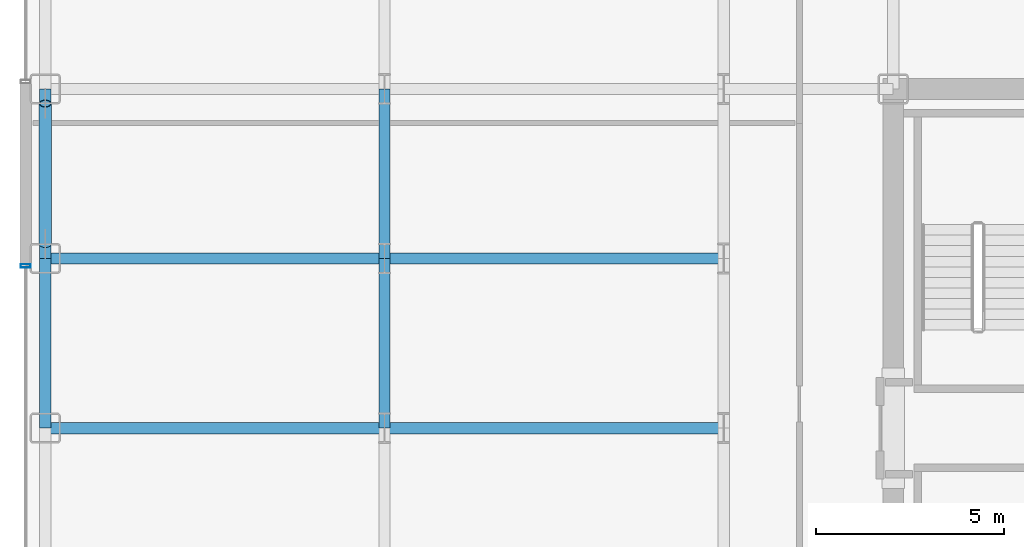
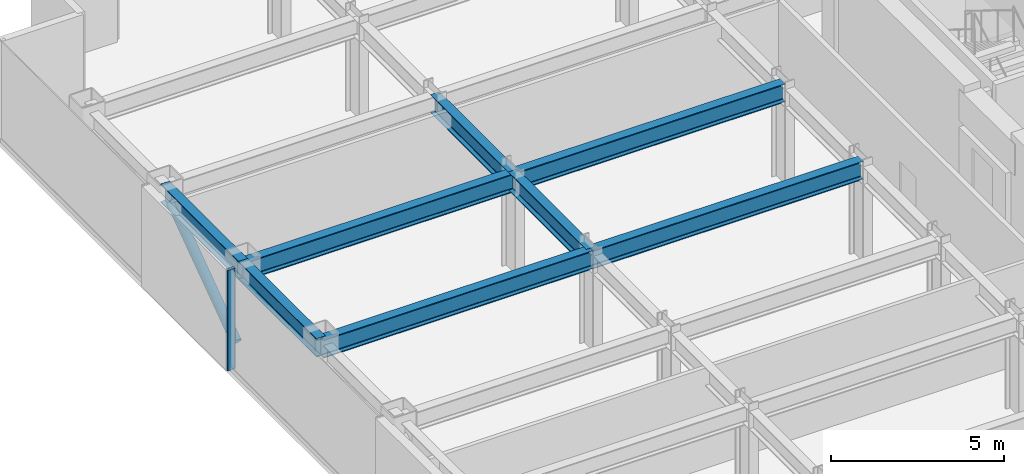
# One storey, part 7 of 25: 8 beams, 2 members, 1 element without a shape of its own.
"""IFC4 building model written with IfcOpenShell, lengths in metres."""

import ifcopenshell
import ifcopenshell.guid

model = None  # the IFC model being written
_history = None  # IfcOwnerHistory: only IFC2X3 demands one
_inside = {}  # id of a spatial element -> (the spatial element, [elements in it])
_under = {}  # id of a project, library or spatial element -> (it, [spatial elements below it])
_declared = {}  # id of a project -> (the project, [libraries it declares])
_typed = {}  # id of a type object -> (the type object, [elements of that type])
_made_of = {}  # id of a material, layer set ... -> (it, [elements and type objects made of it])


def new_model(schema):
    """Start an empty IFC model of exactly this schema.

    Asked for "IFC4X3", IfcOpenShell would pick the latest addendum, in which some entities
    have other attributes; the version numbers below select the first issue.
    IFC2X3 requires an IfcOwnerHistory on every rooted entity: one is made here for all.
    """
    global model, _history
    if schema == "IFC4X3":
        model = ifcopenshell.file(schema_version=(4, 3, 0, 0))
    else:
        model = ifcopenshell.file(schema=schema)
    _inside.clear()
    _under.clear()
    _declared.clear()
    _typed.clear()
    _made_of.clear()
    _history = None
    if model.schema == "IFC2X3":
        org = make("IfcOrganization", Name="unknown")
        user = make(
            "IfcPersonAndOrganization",
            ThePerson=make("IfcPerson", FamilyName="unknown"),
            TheOrganization=org,
        )
        app = make(
            "IfcApplication",
            ApplicationDeveloper=org,
            Version="unknown",
            ApplicationFullName="unknown",
            ApplicationIdentifier="unknown",
        )
        _history = make(
            "IfcOwnerHistory",
            OwningUser=user,
            OwningApplication=app,
            ChangeAction="ADDED",
            CreationDate=0,
        )
    return model


def make(cls, **values):
    """One entity of the class cls with the attributes given. An attribute that is None is left unset."""
    return model.create_entity(
        cls, **{name: value for name, value in values.items() if value is not None}
    )


def rooted(cls, **values):
    """An entity with a GlobalId (a new one), such as an element, a storey or a relation."""
    return make(cls, GlobalId=ifcopenshell.guid.new(), OwnerHistory=_history, **values)


def si_unit(unit_type, name, prefix=None):
    """IfcSIUnit, for example si_unit("LENGTHUNIT", "METRE", prefix="MILLI")."""
    return make("IfcSIUnit", UnitType=unit_type, Prefix=prefix, Name=name)


def assignment(units):
    """IfcUnitAssignment: the units of a project."""
    return None if units is None else make("IfcUnitAssignment", Units=units)


def point(xyz):
    """IfcCartesianPoint."""
    return None if xyz is None else make("IfcCartesianPoint", Coordinates=xyz)


def direction(xyz):
    """IfcDirection."""
    return None if xyz is None else make("IfcDirection", DirectionRatios=xyz)


def frame(location, z_axis=None, x_axis=None):
    """IfcAxis2Placement3D, a coordinate frame: its origin and axes. An axis left out is left unset."""
    return make(
        "IfcAxis2Placement3D",
        Location=point(location),
        Axis=direction(z_axis),
        RefDirection=direction(x_axis),
    )


def frame_2d(location, x_axis=None):
    """IfcAxis2Placement2D, a coordinate frame in the plane: its origin and x axis."""
    return make(
        "IfcAxis2Placement2D", Location=point(location), RefDirection=direction(x_axis)
    )


def origin():
    """The frame at (0, 0, 0) with its axes left unset."""
    return frame((0.0, 0.0, 0.0))


def origin_2d():
    """The frame at (0, 0) in the plane with its x axis left unset."""
    return frame_2d((0.0, 0.0))


def place(relative_to, where):
    """IfcLocalPlacement: puts the frame where relative to a parent placement (None: the world)."""
    return make(
        "IfcLocalPlacement", PlacementRelTo=relative_to, RelativePlacement=where
    )


def context(
    kind, dimensions, precision=None, world=None, true_north=None, identifier=None
):
    """IfcGeometricRepresentationContext, for example the 3D "Model" context."""
    return make(
        "IfcGeometricRepresentationContext",
        ContextIdentifier=identifier,
        ContextType=kind,
        CoordinateSpaceDimension=dimensions,
        Precision=precision,
        WorldCoordinateSystem=world,
        TrueNorth=true_north,
    )


def subcontext(parent, identifier, kind, view, scale=None):
    """IfcGeometricRepresentationSubContext, for example "Body" below "Model"."""
    return make(
        "IfcGeometricRepresentationSubContext",
        ContextIdentifier=identifier,
        ContextType=kind,
        ParentContext=parent,
        TargetScale=scale,
        TargetView=view,
    )


def project(units=None, contexts=None):
    """IfcProject with its units and contexts."""
    return rooted(
        "IfcProject",
        Name="project",
        RepresentationContexts=contexts,
        UnitsInContext=assignment(units),
    )


def spatial(cls, under=None, at=None, **own):
    """A site, building, storey or space (cls), placed at a placement, below another one or the project."""
    s = rooted(cls, ObjectPlacement=at, **own)
    if under is not None:
        _under.setdefault(under.id(), (under, []))[1].append(s)
    return s


def profile(cls, at=None, kind="AREA", **sizes):
    """A parametric profile (cls). Its sizes go by their IFC names, for example OverallWidth=200.0."""
    return make(cls, ProfileType=kind, Position=at, **sizes)


def hollow_rectangle(**sizes):
    """IfcRectangleHollowProfileDef."""
    return profile("IfcRectangleHollowProfileDef", **sizes)


def hollow_circle(**sizes):
    """IfcCircleHollowProfileDef."""
    return profile("IfcCircleHollowProfileDef", **sizes)


def i_section(**sizes):
    """IfcIShapeProfileDef."""
    return profile("IfcIShapeProfileDef", **sizes)


def extrude(swept, where, along, depth):
    """IfcExtrudedAreaSolid: the profile swept, set in the frame where, extruded along a direction by depth."""
    return make(
        "IfcExtrudedAreaSolid",
        SweptArea=swept,
        Position=where,
        ExtrudedDirection=direction(along),
        Depth=depth,
    )


def shape(context_of_items, identifier, shape_type, items):
    """IfcShapeRepresentation: the items that make up one representation, for example the "Body"."""
    return make(
        "IfcShapeRepresentation",
        ContextOfItems=context_of_items,
        RepresentationIdentifier=identifier,
        RepresentationType=shape_type,
        Items=items,
    )


def source(mapping_origin, context_of_items, identifier, shape_type, items):
    """IfcRepresentationMap: a shape defined once, which mapped items show again and again."""
    return make(
        "IfcRepresentationMap",
        MappingOrigin=mapping_origin,
        MappedRepresentation=shape(context_of_items, identifier, shape_type, items),
    )


def transform(
    local_origin,
    x_axis=None,
    y_axis=None,
    z_axis=None,
    scale=None,
    scale2=None,
    scale3=None,
    uniform=True,
):
    """IfcCartesianTransformationOperator3D, or its non-uniform kind. x_axis, y_axis, z_axis: its Axis1, 2, 3."""
    if uniform:
        return make(
            "IfcCartesianTransformationOperator3D",
            Axis1=direction(x_axis),
            Axis2=direction(y_axis),
            LocalOrigin=point(local_origin),
            Scale=scale,
            Axis3=direction(z_axis),
        )
    return make(
        "IfcCartesianTransformationOperator3DnonUniform",
        Axis1=direction(x_axis),
        Axis2=direction(y_axis),
        LocalOrigin=point(local_origin),
        Scale=scale,
        Axis3=direction(z_axis),
        Scale2=scale2,
        Scale3=scale3,
    )


def mapped(mapping_source, mapping_target):
    """IfcMappedItem: shows the shape of a source again, moved by a transform."""
    return make(
        "IfcMappedItem", MappingSource=mapping_source, MappingTarget=mapping_target
    )


def material(Name=None, Category=None):
    """IfcMaterial."""
    return make("IfcMaterial", Name=Name, Category=Category)


def layer(
    of_material, thickness, ventilated=None, Name=None, Category=None, Priority=None
):
    """IfcMaterialLayer: one layer of a wall or slab, of a material (None: an air gap)."""
    return make(
        "IfcMaterialLayer",
        Material=of_material,
        LayerThickness=thickness,
        IsVentilated=ventilated,
        Name=Name,
        Category=Category,
        Priority=Priority,
    )


def layer_set(layers, Name=None):
    """IfcMaterialLayerSet."""
    return make("IfcMaterialLayerSet", MaterialLayers=layers, LayerSetName=Name)


def material_profile(
    of_material, cross_section, Name=None, Category=None, Priority=None
):
    """IfcMaterialProfile: a cross section and its material."""
    return make(
        "IfcMaterialProfile",
        Name=Name,
        Material=of_material,
        Profile=cross_section,
        Priority=Priority,
        Category=Category,
    )


def profile_set(profiles, Name=None, composite=None):
    """IfcMaterialProfileSet."""
    return make(
        "IfcMaterialProfileSet",
        Name=Name,
        MaterialProfiles=profiles,
        CompositeProfile=composite,
    )


def made_of(thing, what):
    """Note that an element or type object is made of a material, layer set ...; save() writes the relation."""
    if what is not None:
        _made_of.setdefault(what.id(), (what, []))[1].append(thing)
    return thing


def type_object(cls, material=None, **own):
    """A type object (cls), such as IfcWallType, which elements share."""
    return made_of(rooted(cls, **own), material)


def element(
    cls,
    number,
    at=None,
    inside=None,
    cuts=None,
    type_object=None,
    material=None,
    context=None,
    identifier="Body",
    shape_type=None,
    held_by="IfcProductDefinitionShape",
    body=None,
    shapes=None,
    **own,
):
    """One element of the class cls, such as IfcWall. Its Tag is "e" and its number.

    at: its placement. inside: the storey or other place that contains it. cuts: it is an
    opening in that element (IfcRelVoidsElement). A single representation is given by context,
    identifier, shape_type and body (its items); several are given by shapes. held_by: the class
    of the entity that holds the representations. save() writes the other relations.
    """
    e = rooted(cls, Tag="e%d" % number, ObjectPlacement=at, **own)
    if body is not None:
        shapes = [shape(context, identifier, shape_type, body)]
    if shapes is not None:
        e.Representation = make(held_by, Representations=shapes)
    if inside is not None:
        _inside.setdefault(inside.id(), (inside, []))[1].append(e)
    if cuts is not None:
        rooted(
            "IfcRelVoidsElement", RelatingBuildingElement=cuts, RelatedOpeningElement=e
        )
    if type_object is not None:
        _typed.setdefault(type_object.id(), (type_object, []))[1].append(e)
    return made_of(e, material)


def aggregate(whole, parts):
    """IfcRelAggregates: a whole, such as a stair, and the parts it consists of."""
    return rooted("IfcRelAggregates", RelatingObject=whole, RelatedObjects=parts)


def save(model, path):
    """Write the relations noted so far, then the file.

    IfcRelAggregates (storeys below a building ...), IfcRelContainedInSpatialStructure (elements
    in a storey), IfcRelDefinesByType, IfcRelAssociatesMaterial and IfcRelDeclares: one each for
    every whole, place, type object, material and project.
    """
    for whole, parts in _under.values():
        aggregate(whole, parts)
    for where, things in _inside.values():
        rooted(
            "IfcRelContainedInSpatialStructure",
            RelatedElements=things,
            RelatingStructure=where,
        )
    for kind, things in _typed.values():
        rooted("IfcRelDefinesByType", RelatedObjects=things, RelatingType=kind)
    for what, things in _made_of.values():
        rooted("IfcRelAssociatesMaterial", RelatedObjects=things, RelatingMaterial=what)
    for by, libraries in _declared.values():
        rooted("IfcRelDeclares", RelatingContext=by, RelatedDefinitions=libraries)
    model.write(path)


model = new_model("IFC4")

# Units and contexts
model_context = context("Model", 3, precision=1e-05, world=origin(), true_north=direction((0.0, 1.0)))
body_context = subcontext(model_context, "Body", "Model", "MODEL_VIEW")
ifc_project = project(units=[si_unit("LENGTHUNIT", "METRE"), si_unit("AREAUNIT", "SQUARE_METRE"), si_unit("VOLUMEUNIT", "CUBIC_METRE"), si_unit("PLANEANGLEUNIT", "RADIAN"), si_unit("MASSUNIT", "GRAM", prefix="KILO")], contexts=[model_context])

# Site, building, storey
site_placement = place(None, origin())
site = spatial("IfcSite", under=ifc_project, at=site_placement, CompositionType="ELEMENT")
building_placement = place(site_placement, origin())
building = spatial("IfcBuilding", under=site, at=building_placement, Name="Nefas-Gora Pilgrimage Tower", CompositionType="ELEMENT")
storey_placement = place(building_placement, frame((0.0, 0.0, 194.39990234375)))
storey = spatial("IfcBuildingStorey", under=building, at=storey_placement, Name="L48", CompositionType="ELEMENT", Elevation=194.39990234375)

# Beams
ifc_material_1 = material(Name="Steel S355", Category="steel")
ifc_material_profile_1 = material_profile(ifc_material_1, i_section(OverallWidth=0.300048828125, OverallDepth=0.64990234375, WebThickness=0.01611328125, FlangeThickness=0.031005859375, FilletRadius=0.027099609375, at=origin_2d()), Name="HEB 650")
ifc_profile_set_1 = profile_set([ifc_material_profile_1], Name="Steel S355")
beam_type_1 = type_object("IfcBeamType", Name="BM-SPN-HEB500", PredefinedType="SPANDREL", material=ifc_profile_set_1)
shared_shape_1 = source(origin(), body_context, "Body", "SweptSolid", [
    extrude(i_section(OverallWidth=0.300048828125, OverallDepth=0.64990234375, WebThickness=0.01611328125, FlangeThickness=0.031005859375, FilletRadius=0.027099609375, at=origin_2d()), origin(), (0.0, 0.0, 1.0), 4.5),
])
for number, where, z_axis, x_axis, name in (
    (1, (-33.75, 0.0, 3.22509765625), (0.0, 1.0, 0.0), (-1.0, 0.0, 0.0), "L48 SP-02 beam"),
    (2, (-33.75, 4.5, 3.22509765625), (0.0, 1.0, 0.0), (-1.0, 0.0, 0.0), "L48 SP-02 beam"),
):
    element("IfcBeam", number, at=place(storey_placement, frame(where, z_axis=z_axis, x_axis=x_axis)), inside=storey, type_object=beam_type_1, Name=name, PredefinedType="SPANDREL", context=body_context, shape_type="MappedRepresentation", body=[
        mapped(shared_shape_1, transform((0.0, 0.0, 0.0), x_axis=(1.0, 0.0, 0.0), y_axis=(0.0, 1.0, 0.0), z_axis=(0.0, 0.0, 1.0), scale=1.0)),
    ])
ifc_material_profile_2 = material_profile(ifc_material_1, i_section(OverallWidth=0.300048828125, OverallDepth=0.64990234375, WebThickness=0.01611328125, FlangeThickness=0.031005859375, FilletRadius=0.027099609375, at=origin_2d()), Name="HEB 650")
ifc_profile_set_2 = profile_set([ifc_material_profile_2], Name="Steel S355")
beam_type_2 = type_object("IfcBeamType", Name="BM-GIR-HEB650", PredefinedType="BEAM", material=ifc_profile_set_2)
shared_shape_2 = source(origin(), body_context, "Body", "SweptSolid", [
    extrude(i_section(OverallWidth=0.300048828125, OverallDepth=0.64990234375, WebThickness=0.01611328125, FlangeThickness=0.031005859375, FilletRadius=0.027099609375, at=origin_2d()), origin(), (0.0, 0.0, 1.0), 9.0),
])
for number, where, z_axis, x_axis, name in (
    (3, (-33.75, 0.0, 3.22509765625), (1.0, 0.0, 0.0), (0.0, 1.0, 0.0), "L48 G-03 beam"),
    (4, (-33.75, 4.5, 3.22509765625), (1.0, 0.0, 0.0), (0.0, 1.0, 0.0), "L48 G-03 beam"),
    (5, (-24.75, 0.0, 3.22509765625), (1.0, 0.0, 0.0), (0.0, 1.0, 0.0), "L48 G-03 beam"),
    (6, (-24.75, 4.5, 3.22509765625), (1.0, 0.0, 0.0), (0.0, 1.0, 0.0), "L48 G-03 beam"),
):
    element("IfcBeam", number, at=place(storey_placement, frame(where, z_axis=z_axis, x_axis=x_axis)), inside=storey, type_object=beam_type_2, Name=name, PredefinedType="BEAM", context=body_context, shape_type="MappedRepresentation", body=[
        mapped(shared_shape_2, transform((0.0, 0.0, 0.0), x_axis=(1.0, 0.0, 0.0), y_axis=(0.0, 1.0, 0.0), z_axis=(0.0, 0.0, 1.0), scale=1.0)),
    ])
shared_shape_3 = source(origin(), body_context, "Body", "SweptSolid", [
    extrude(i_section(OverallWidth=0.300048828125, OverallDepth=0.64990234375, WebThickness=0.01611328125, FlangeThickness=0.031005859375, FilletRadius=0.027099609375, at=origin_2d()), origin(), (0.0, 0.0, 1.0), 4.5),
])
for number, where, z_axis, x_axis, name in (
    (7, (-24.75, 0.0, 3.22509765625), (0.0, 1.0, 0.0), (-1.0, 0.0, 0.0), "L48 G-03 beam"),
    (8, (-24.75, 4.5, 3.22509765625), (0.0, 1.0, 0.0), (-1.0, 0.0, 0.0), "L48 G-03 beam"),
):
    element("IfcBeam", number, at=place(storey_placement, frame(where, z_axis=z_axis, x_axis=x_axis)), inside=storey, type_object=beam_type_2, Name=name, PredefinedType="BEAM", context=body_context, shape_type="MappedRepresentation", body=[
        mapped(shared_shape_3, transform((0.0, 0.0, 0.0), x_axis=(1.0, 0.0, 0.0), y_axis=(0.0, 1.0, 0.0), z_axis=(0.0, 0.0, 1.0), scale=1.0)),
    ])

# Member
ifc_material_profile_3 = material_profile(ifc_material_1, hollow_circle(Radius=0.161865234375, WallThickness=0.02001953125, at=origin_2d()), Name="CHS 323.9x20")
ifc_profile_set_3 = profile_set([ifc_material_profile_3], Name="Steel S355")
member_type_1 = type_object("IfcMemberType", Name="MEM-TUBE-324", PredefinedType="BRACE", material=ifc_profile_set_3)
shared_shape_4 = source(origin(), body_context, "Body", "SweptSolid", [
    extrude(hollow_circle(Radius=0.161865234375, WallThickness=0.02001953125, at=origin_2d()), origin(), (0.0, 0.0, 1.0), 4.579345703125),
])
member_1_placement = place(storey_placement, frame((-33.75, 4.887939453125, 0.427734375), z_axis=(0.0, 0.813246879171, 0.581918820385), x_axis=(-1.0, 0.0, 0.0)))
element("IfcMember", 9, at=member_1_placement, inside=storey, type_object=member_type_1, Name="L48 Perimeter Tube Diagonal Brace W2", PredefinedType="BRACE", context=body_context, shape_type="MappedRepresentation", body=[
    mapped(shared_shape_4, transform((0.0, 0.0, 0.0), x_axis=(1.0, 0.0, 0.0), y_axis=(0.0, 1.0, 0.0), z_axis=(0.0, 0.0, 1.0), scale=1.0)),
])

# Curtain wall, member
ifc_material_2 = material(Name="Dark ceramic-fritted solar-control aluminium-glass curtain wall", Category="aluminium")
ifc_layer = layer(ifc_material_2, 0.219970703125)
ifc_layer_set = layer_set([ifc_layer], Name="Dark ceramic-fritted solar-control aluminium-glass curtain wall")
curtain_wall_type = type_object("IfcCurtainWallType", Name="CW-SYS-3", PredefinedType="NOTDEFINED", material=ifc_layer_set)
curtain_wall_placement = place(storey_placement, origin())
curtain_wall = element("IfcCurtainWall", 10, at=curtain_wall_placement, inside=storey, type_object=curtain_wall_type, Name="L48 Unitised Curtain Wall CW3", PredefinedType="NOTDEFINED")
ifc_material_3 = material(Name="Anodised architectural aluminium", Category="aluminium")
ifc_material_profile_4 = material_profile(ifc_material_3, hollow_rectangle(XDim=0.090087890625, YDim=0.260009765625, WallThickness=0.006103515625, InnerFilletRadius=0.006103515625, OuterFilletRadius=0.011962890625, at=origin_2d()), Name="ALU MULLION 90x260")
ifc_profile_set_4 = profile_set([ifc_material_profile_4], Name="Anodised architectural aluminium")
member_type_2 = type_object("IfcMemberType", Name="CWM-MUL-3", PredefinedType="MULLION", material=ifc_profile_set_4)
shared_shape_5 = source(origin(), body_context, "Body", "SweptSolid", [
    extrude(hollow_rectangle(XDim=0.090087890625, YDim=0.260009765625, WallThickness=0.006103515625, InnerFilletRadius=0.006103515625, OuterFilletRadius=0.011962890625, at=origin_2d()), origin(), (0.0, 0.0, 1.0), 3.550048828125),
])
member_2_placement = place(storey_placement, frame((-34.27001953125, 4.304931640625, 0.0), z_axis=(0.0, 0.0, 1.0), x_axis=(0.0, -1.0, 0.0)))
member_2 = element("IfcMember", 11, at=member_2_placement, type_object=member_type_2, Name="CW3 Mullion 1", PredefinedType="MULLION", context=body_context, shape_type="MappedRepresentation", body=[
    mapped(shared_shape_5, transform((0.0, 0.0, 0.0), x_axis=(1.0, 0.0, 0.0), y_axis=(0.0, 1.0, 0.0), z_axis=(0.0, 0.0, 1.0), scale=1.0)),
])
aggregate(curtain_wall, [member_2])

save(model, "model.ifc")
